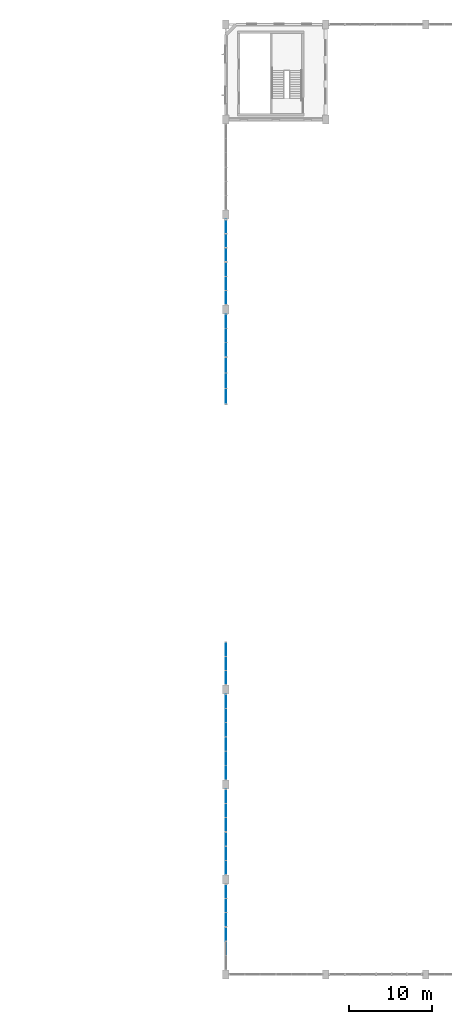
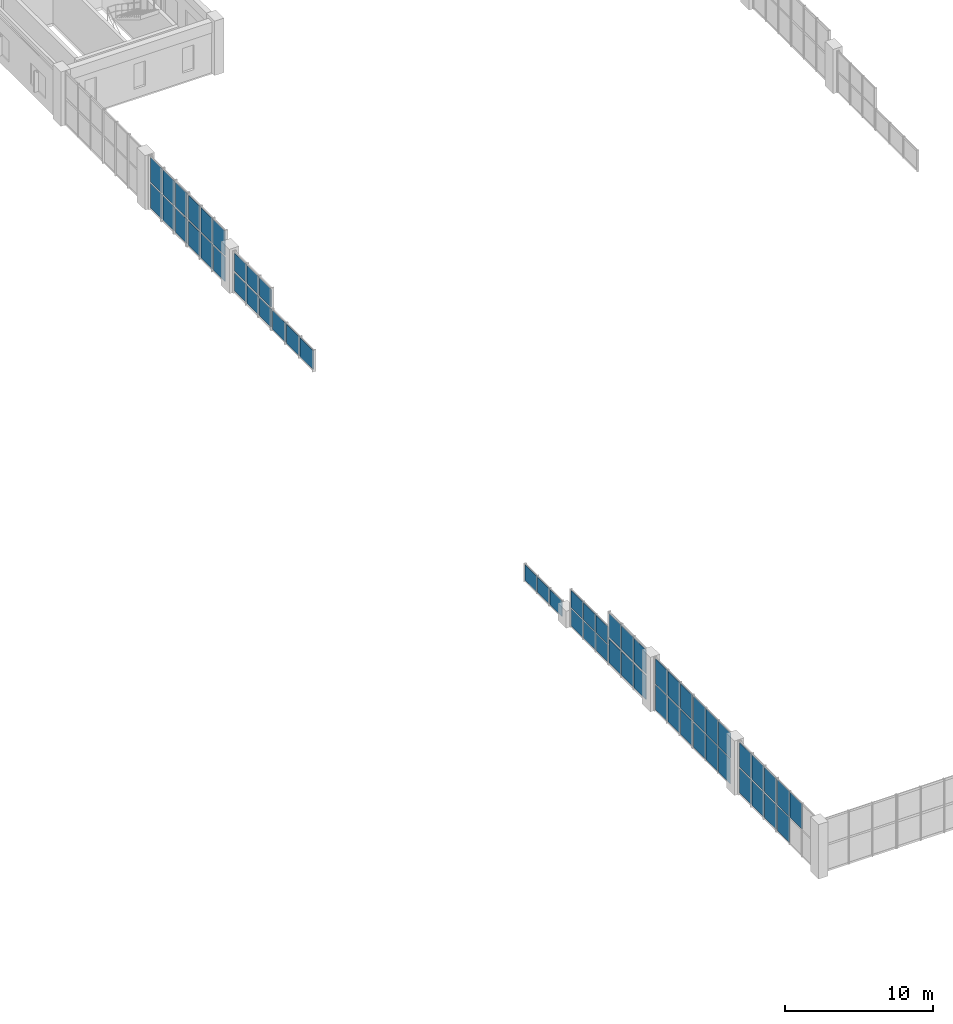
# One storey, part 31 of 48: 57 plates, 11 elements without a shape of their own.
"""IFC4 building model written with IfcOpenShell, lengths in metres."""

from ifc_helpers import new_model, si_unit, direction, frame, origin, origin_2d, place, context, subcontext, project, spatial, rectangle, extrude, material, layer, layer_set, type_object, element, aggregate, save


model = new_model("IFC4")

# Units and contexts
model_context = context("Model", 3, precision=1e-05, world=origin(), true_north=direction((0.0, 1.0)))
body_context = subcontext(model_context, "Body", "Model", "MODEL_VIEW")
ifc_project = project(units=[si_unit("LENGTHUNIT", "METRE"), si_unit("AREAUNIT", "SQUARE_METRE"), si_unit("VOLUMEUNIT", "CUBIC_METRE"), si_unit("PLANEANGLEUNIT", "RADIAN"), si_unit("MASSUNIT", "GRAM", prefix="KILO"), si_unit("POWERUNIT", "WATT"), si_unit("THERMODYNAMICTEMPERATUREUNIT", "KELVIN")], contexts=[model_context])

# Site, building, storey
site_placement = place(None, origin())
site = spatial("IfcSite", under=ifc_project, at=site_placement, CompositionType="ELEMENT")
building_placement = place(site_placement, origin())
building = spatial("IfcBuilding", under=site, at=building_placement, Name="Kelmbourne Parkland Aquatics Centre", CompositionType="ELEMENT")
storey_placement = place(building_placement, frame((0.0, 0.0, 14.699951171875)))
storey = spatial("IfcBuildingStorey", under=building, at=storey_placement, Name="L03", CompositionType="ELEMENT", Elevation=14.699951171875)

# Curtain wall, plates
ifc_material_1 = material(Name="Thermally broken anodised aluminium framing", Category="aluminium")
ifc_layer_1 = layer(ifc_material_1, 0.179931640625)
ifc_layer_set_1 = layer_set([ifc_layer_1], Name="Thermally broken anodised aluminium framing")
curtain_wall_type_1 = type_object("IfcCurtainWallType", Name="CW-06", PredefinedType="NOTDEFINED", material=ifc_layer_set_1)
curtain_wall_1_placement = place(storey_placement, origin())
curtain_wall_1 = element("IfcCurtainWall", 1, at=curtain_wall_1_placement, inside=storey, type_object=curtain_wall_type_1, Name="Wave-hall clerestory curtain wall CW-L03-006", PredefinedType="NOTDEFINED")
ifc_material_2 = material(Name="Double-glazed low-e laminated safety glass", Category="glass")
ifc_layer_2 = layer(ifc_material_2, 0.0419921875)
ifc_layer_set_2 = layer_set([ifc_layer_2], Name="Double-glazed low-e laminated safety glass")
plate_type_1 = type_object("IfcPlateType", Name="PL-CLR-1", PredefinedType="USERDEFINED", material=ifc_layer_set_2)
plate_1_placement = place(storey_placement, frame((128.0, 3.926025390625, 2.279296875), z_axis=(0.0, 0.0, 1.0), x_axis=(0.0, 1.0, 0.0)))
plate_1 = element("IfcPlate", 2, at=plate_1_placement, type_object=plate_type_1, Name="CW-L03-006 clerestory glazing 1-1", ObjectType="CLERESTORY GLAZING", PredefinedType="USERDEFINED", context=body_context, shape_type="SweptSolid", body=[
    extrude(rectangle(XDim=1.6279296875, YDim=0.0419921875, at=origin_2d()), origin(), (0.0, 0.0, 1.0), 2.053955078125),
])
plate_2_placement = place(storey_placement, frame((128.0, 5.616943359375, 2.279296875), z_axis=(0.0, 0.0, 1.0), x_axis=(0.0, 1.0, 0.0)))
plate_2 = element("IfcPlate", 3, at=plate_2_placement, type_object=plate_type_1, Name="CW-L03-006 clerestory glazing 1-2", ObjectType="CLERESTORY GLAZING", PredefinedType="USERDEFINED", context=body_context, shape_type="SweptSolid", body=[
    extrude(rectangle(XDim=1.6279296875, YDim=0.0419921875, at=origin_2d()), origin(), (0.0, 0.0, 1.0), 2.053955078125),
])

ifc_layer_3 = layer(ifc_material_1, 0.179931640625)
ifc_layer_set_3 = layer_set([ifc_layer_3], Name="Thermally broken anodised aluminium framing")
curtain_wall_type_2 = type_object("IfcCurtainWallType", Name="CW-13", PredefinedType="NOTDEFINED", material=ifc_layer_set_3)
curtain_wall_2_placement = place(storey_placement, origin())
curtain_wall_2 = element("IfcCurtainWall", 4, at=curtain_wall_2_placement, inside=storey, type_object=curtain_wall_type_2, Name="Wave-hall clerestory curtain wall CW-L03-013", PredefinedType="NOTDEFINED")
plate_3_placement = place(storey_placement, frame((128.0, 7.3896484375, 2.2939453125), z_axis=(0.0, 0.0, 1.0), x_axis=(0.0, 1.0, 0.0)))
plate_3 = element("IfcPlate", 5, at=plate_3_placement, type_object=plate_type_1, Name="CW-L03-013 clerestory glazing 1-0", ObjectType="CLERESTORY GLAZING", PredefinedType="USERDEFINED", context=body_context, shape_type="SweptSolid", body=[
    extrude(rectangle(XDim=1.601318359375, YDim=0.0419921875, at=origin_2d()), origin(), (0.0, 0.0, 1.0), 2.009033203125),
])
plate_4_placement = place(storey_placement, frame((128.0, 9.073974609375, 2.2939453125), z_axis=(0.0, 0.0, 1.0), x_axis=(0.0, 1.0, 0.0)))
plate_4 = element("IfcPlate", 6, at=plate_4_placement, type_object=plate_type_1, Name="CW-L03-013 clerestory glazing 1-1", ObjectType="CLERESTORY GLAZING", PredefinedType="USERDEFINED", context=body_context, shape_type="SweptSolid", body=[
    extrude(rectangle(XDim=1.601318359375, YDim=0.0419921875, at=origin_2d()), origin(), (0.0, 0.0, 1.0), 2.009033203125),
])
plate_5_placement = place(storey_placement, frame((128.0, 10.75830078125, 2.2939453125), z_axis=(0.0, 0.0, 1.0), x_axis=(0.0, 1.0, 0.0)))
plate_5 = element("IfcPlate", 7, at=plate_5_placement, type_object=plate_type_1, Name="CW-L03-013 clerestory glazing 1-2", ObjectType="CLERESTORY GLAZING", PredefinedType="USERDEFINED", context=body_context, shape_type="SweptSolid", body=[
    extrude(rectangle(XDim=1.601318359375, YDim=0.0419921875, at=origin_2d()), origin(), (0.0, 0.0, 1.0), 2.009033203125),
])

ifc_layer_4 = layer(ifc_material_1, 0.179931640625)
ifc_layer_set_4 = layer_set([ifc_layer_4], Name="Thermally broken anodised aluminium framing")
curtain_wall_type_3 = type_object("IfcCurtainWallType", Name="CW-21", PredefinedType="NOTDEFINED", material=ifc_layer_set_4)
curtain_wall_3_placement = place(storey_placement, origin())
curtain_wall_3 = element("IfcCurtainWall", 8, at=curtain_wall_3_placement, inside=storey, type_object=curtain_wall_type_3, Name="Wave-hall clerestory curtain wall CW-L03-021", PredefinedType="NOTDEFINED")
plate_6_placement = place(storey_placement, frame((128.0, 13.635009765625, 2.279296875), z_axis=(0.0, 0.0, 1.0), x_axis=(0.0, 1.0, 0.0)))
plate_6 = element("IfcPlate", 9, at=plate_6_placement, type_object=plate_type_1, Name="CW-L03-021 clerestory glazing 1-0", ObjectType="CLERESTORY GLAZING", PredefinedType="USERDEFINED", context=body_context, shape_type="SweptSolid", body=[
    extrude(rectangle(XDim=1.6279296875, YDim=0.0419921875, at=origin_2d()), origin(), (0.0, 0.0, 1.0), 2.053955078125),
])
plate_7_placement = place(storey_placement, frame((128.0, 15.325927734375, 2.279296875), z_axis=(0.0, 0.0, 1.0), x_axis=(0.0, 1.0, 0.0)))
plate_7 = element("IfcPlate", 10, at=plate_7_placement, type_object=plate_type_1, Name="CW-L03-021 clerestory glazing 1-1", ObjectType="CLERESTORY GLAZING", PredefinedType="USERDEFINED", context=body_context, shape_type="SweptSolid", body=[
    extrude(rectangle(XDim=1.6279296875, YDim=0.0419921875, at=origin_2d()), origin(), (0.0, 0.0, 1.0), 2.053955078125),
])
plate_8_placement = place(storey_placement, frame((128.0, 17.01708984375, 2.279296875), z_axis=(0.0, 0.0, 1.0), x_axis=(0.0, 1.0, 0.0)))
plate_8 = element("IfcPlate", 11, at=plate_8_placement, type_object=plate_type_1, Name="CW-L03-021 clerestory glazing 1-2", ObjectType="CLERESTORY GLAZING", PredefinedType="USERDEFINED", context=body_context, shape_type="SweptSolid", body=[
    extrude(rectangle(XDim=1.6279296875, YDim=0.0419921875, at=origin_2d()), origin(), (0.0, 0.0, 1.0), 2.053955078125),
])

ifc_layer_5 = layer(ifc_material_1, 0.179931640625)
ifc_layer_set_5 = layer_set([ifc_layer_5], Name="Thermally broken anodised aluminium framing")
curtain_wall_type_4 = type_object("IfcCurtainWallType", Name="CW-03", PredefinedType="NOTDEFINED", material=ifc_layer_set_5)
curtain_wall_4_placement = place(storey_placement, origin())
curtain_wall_4 = element("IfcCurtainWall", 12, at=curtain_wall_4_placement, inside=storey, type_object=curtain_wall_type_4, Name="Wave-hall clerestory curtain wall CW-L03-027", PredefinedType="NOTDEFINED")
plate_9_placement = place(storey_placement, frame((128.0, 18.786376953125, 2.279296875), z_axis=(0.0, 0.0, 1.0), x_axis=(0.0, 1.0, 0.0)))
plate_9 = element("IfcPlate", 13, at=plate_9_placement, type_object=plate_type_1, Name="CW-L03-027 clerestory glazing 1-0", ObjectType="CLERESTORY GLAZING", PredefinedType="USERDEFINED", context=body_context, shape_type="SweptSolid", body=[
    extrude(rectangle(XDim=1.61474609375, YDim=0.0419921875, at=origin_2d()), origin(), (0.0, 0.0, 1.0), 2.053955078125),
])
plate_10_placement = place(storey_placement, frame((128.0, 20.47412109375, 2.279296875), z_axis=(0.0, 0.0, 1.0), x_axis=(0.0, 1.0, 0.0)))
plate_10 = element("IfcPlate", 14, at=plate_10_placement, type_object=plate_type_1, Name="CW-L03-027 clerestory glazing 1-1", ObjectType="CLERESTORY GLAZING", PredefinedType="USERDEFINED", context=body_context, shape_type="SweptSolid", body=[
    extrude(rectangle(XDim=1.614501953125, YDim=0.0419921875, at=origin_2d()), origin(), (0.0, 0.0, 1.0), 2.053955078125),
])
plate_11_placement = place(storey_placement, frame((128.0, 22.16162109375, 2.279296875), z_axis=(0.0, 0.0, 1.0), x_axis=(0.0, 1.0, 0.0)))
plate_11 = element("IfcPlate", 15, at=plate_11_placement, type_object=plate_type_1, Name="CW-L03-027 clerestory glazing 1-2", ObjectType="CLERESTORY GLAZING", PredefinedType="USERDEFINED", context=body_context, shape_type="SweptSolid", body=[
    extrude(rectangle(XDim=1.61474609375, YDim=0.0419921875, at=origin_2d()), origin(), (0.0, 0.0, 1.0), 2.053955078125),
])

ifc_layer_6 = layer(ifc_material_1, 0.179931640625)
ifc_layer_set_6 = layer_set([ifc_layer_6], Name="Thermally broken anodised aluminium framing")
curtain_wall_type_5 = type_object("IfcCurtainWallType", Name="CW-08", PredefinedType="NOTDEFINED", material=ifc_layer_set_6)
curtain_wall_5_placement = place(storey_placement, origin())
curtain_wall_5 = element("IfcCurtainWall", 16, at=curtain_wall_5_placement, inside=storey, type_object=curtain_wall_type_5, Name="Wave-hall clerestory curtain wall CW-L03-032", PredefinedType="NOTDEFINED")
plate_12_placement = place(storey_placement, frame((128.0, 25.038330078125, 2.30908203125), z_axis=(0.0, 0.0, 1.0), x_axis=(0.0, 1.0, 0.0)))
plate_12 = element("IfcPlate", 17, at=plate_12_placement, type_object=plate_type_1, Name="CW-L03-032 clerestory glazing 1-0", ObjectType="CLERESTORY GLAZING", PredefinedType="USERDEFINED", context=body_context, shape_type="SweptSolid", body=[
    extrude(rectangle(XDim=1.61474609375, YDim=0.0419921875, at=origin_2d()), origin(), (0.0, 0.0, 1.0), 1.964111328125),
])
plate_13_placement = place(storey_placement, frame((128.0, 26.72607421875, 2.30908203125), z_axis=(0.0, 0.0, 1.0), x_axis=(0.0, 1.0, 0.0)))
plate_13 = element("IfcPlate", 18, at=plate_13_placement, type_object=plate_type_1, Name="CW-L03-032 clerestory glazing 1-1", ObjectType="CLERESTORY GLAZING", PredefinedType="USERDEFINED", context=body_context, shape_type="SweptSolid", body=[
    extrude(rectangle(XDim=1.614501953125, YDim=0.0419921875, at=origin_2d()), origin(), (0.0, 0.0, 1.0), 1.964111328125),
])
plate_14_placement = place(storey_placement, frame((128.0, 28.413818359375, 2.30908203125), z_axis=(0.0, 0.0, 1.0), x_axis=(0.0, 1.0, 0.0)))
plate_14 = element("IfcPlate", 19, at=plate_14_placement, type_object=plate_type_1, Name="CW-L03-032 clerestory glazing 1-2", ObjectType="CLERESTORY GLAZING", PredefinedType="USERDEFINED", context=body_context, shape_type="SweptSolid", body=[
    extrude(rectangle(XDim=1.61474609375, YDim=0.0419921875, at=origin_2d()), origin(), (0.0, 0.0, 1.0), 1.964111328125),
])

ifc_layer_7 = layer(ifc_material_1, 0.179931640625)
ifc_layer_set_7 = layer_set([ifc_layer_7], Name="Thermally broken anodised aluminium framing")
curtain_wall_type_6 = type_object("IfcCurtainWallType", Name="CW-12", PredefinedType="NOTDEFINED", material=ifc_layer_set_7)
curtain_wall_6_placement = place(storey_placement, origin())
curtain_wall_6 = element("IfcCurtainWall", 20, at=curtain_wall_6_placement, inside=storey, type_object=curtain_wall_type_6, Name="Wave-hall clerestory curtain wall CW-L03-036", PredefinedType="NOTDEFINED")
plate_15_placement = place(storey_placement, frame((128.0, 30.18310546875, 1.640869140625), z_axis=(0.0, 0.0, 1.0), x_axis=(0.0, 1.0, 0.0)))
plate_15 = element("IfcPlate", 21, at=plate_15_placement, type_object=plate_type_1, Name="CW-L03-036 clerestory glazing 1-0", ObjectType="CLERESTORY GLAZING", PredefinedType="USERDEFINED", context=body_context, shape_type="SweptSolid", body=[
    extrude(rectangle(XDim=1.6279296875, YDim=0.0419921875, at=origin_2d()), origin(), (0.0, 0.0, 1.0), 1.41552734375),
])
plate_16_placement = place(storey_placement, frame((128.0, 31.8740234375, 1.640869140625), z_axis=(0.0, 0.0, 1.0), x_axis=(0.0, 1.0, 0.0)))
plate_16 = element("IfcPlate", 22, at=plate_16_placement, type_object=plate_type_1, Name="CW-L03-036 clerestory glazing 1-1", ObjectType="CLERESTORY GLAZING", PredefinedType="USERDEFINED", context=body_context, shape_type="SweptSolid", body=[
    extrude(rectangle(XDim=1.6279296875, YDim=0.0419921875, at=origin_2d()), origin(), (0.0, 0.0, 1.0), 1.41552734375),
])
plate_17_placement = place(storey_placement, frame((128.0, 33.56494140625, 1.640869140625), z_axis=(0.0, 0.0, 1.0), x_axis=(0.0, 1.0, 0.0)))
plate_17 = element("IfcPlate", 23, at=plate_17_placement, type_object=plate_type_1, Name="CW-L03-036 clerestory glazing 1-2", ObjectType="CLERESTORY GLAZING", PredefinedType="USERDEFINED", context=body_context, shape_type="SweptSolid", body=[
    extrude(rectangle(XDim=1.6279296875, YDim=0.0419921875, at=origin_2d()), origin(), (0.0, 0.0, 1.0), 1.41552734375),
])

ifc_layer_8 = layer(ifc_material_1, 0.179931640625)
ifc_layer_set_8 = layer_set([ifc_layer_8], Name="Thermally broken anodised aluminium framing")
curtain_wall_type_7 = type_object("IfcCurtainWallType", Name="CW-18", PredefinedType="NOTDEFINED", material=ifc_layer_set_8)
curtain_wall_7_placement = place(storey_placement, origin())
curtain_wall_7 = element("IfcCurtainWall", 24, at=curtain_wall_7_placement, inside=storey, type_object=curtain_wall_type_7, Name="Wave-hall clerestory curtain wall CW-L03-042", PredefinedType="NOTDEFINED")
plate_18_placement = place(storey_placement, frame((128.0, 36.438232421875, 0.1171875), z_axis=(0.0, 0.0, 1.0), x_axis=(0.0, 1.0, 0.0)))
plate_18 = element("IfcPlate", 25, at=plate_18_placement, type_object=plate_type_1, Name="CW-L03-042 clerestory glazing 0-0", ObjectType="CLERESTORY GLAZING", PredefinedType="USERDEFINED", context=body_context, shape_type="SweptSolid", body=[
    extrude(rectangle(XDim=1.61474609375, YDim=0.0419921875, at=origin_2d()), origin(), (0.0, 0.0, 1.0), 1.272705078125),
])
plate_19_placement = place(storey_placement, frame((128.0, 38.1259765625, 0.1171875), z_axis=(0.0, 0.0, 1.0), x_axis=(0.0, 1.0, 0.0)))
plate_19 = element("IfcPlate", 26, at=plate_19_placement, type_object=plate_type_1, Name="CW-L03-042 clerestory glazing 0-1", ObjectType="CLERESTORY GLAZING", PredefinedType="USERDEFINED", context=body_context, shape_type="SweptSolid", body=[
    extrude(rectangle(XDim=1.614501953125, YDim=0.0419921875, at=origin_2d()), origin(), (0.0, 0.0, 1.0), 1.272705078125),
])
plate_20_placement = place(storey_placement, frame((128.0, 39.813720703125, 0.1171875), z_axis=(0.0, 0.0, 1.0), x_axis=(0.0, 1.0, 0.0)))
plate_20 = element("IfcPlate", 27, at=plate_20_placement, type_object=plate_type_1, Name="CW-L03-042 clerestory glazing 0-2", ObjectType="CLERESTORY GLAZING", PredefinedType="USERDEFINED", context=body_context, shape_type="SweptSolid", body=[
    extrude(rectangle(XDim=1.61474609375, YDim=0.0419921875, at=origin_2d()), origin(), (0.0, 0.0, 1.0), 1.272705078125),
])
aggregate(curtain_wall_7, [plate_18, plate_19, plate_20])

ifc_layer_9 = layer(ifc_material_1, 0.179931640625)
ifc_layer_set_9 = layer_set([ifc_layer_9], Name="Thermally broken anodised aluminium framing")
curtain_wall_type_8 = type_object("IfcCurtainWallType", Name="CW-15", PredefinedType="NOTDEFINED", material=ifc_layer_set_9)
curtain_wall_8_placement = place(storey_placement, origin())
curtain_wall_8 = element("IfcCurtainWall", 28, at=curtain_wall_8_placement, inside=storey, type_object=curtain_wall_type_8, Name="Wave-hall clerestory curtain wall CW-L03-063", PredefinedType="NOTDEFINED")
plate_21_placement = place(storey_placement, frame((128.0, 70.181640625, 0.1171875), z_axis=(0.0, 0.0, 1.0), x_axis=(0.0, 1.0, 0.0)))
plate_21 = element("IfcPlate", 29, at=plate_21_placement, type_object=plate_type_1, Name="CW-L03-063 clerestory glazing 0-0", ObjectType="CLERESTORY GLAZING", PredefinedType="USERDEFINED", context=body_context, shape_type="SweptSolid", body=[
    extrude(rectangle(XDim=1.785400390625, YDim=0.0419921875, at=origin_2d()), origin(), (0.0, 0.0, 1.0), 1.5654296875),
])
plate_22_placement = place(storey_placement, frame((128.0, 72.050048828125, 0.1171875), z_axis=(0.0, 0.0, 1.0), x_axis=(0.0, 1.0, 0.0)))
plate_22 = element("IfcPlate", 30, at=plate_22_placement, type_object=plate_type_1, Name="CW-L03-063 clerestory glazing 0-1", ObjectType="CLERESTORY GLAZING", PredefinedType="USERDEFINED", context=body_context, shape_type="SweptSolid", body=[
    extrude(rectangle(XDim=1.785400390625, YDim=0.0419921875, at=origin_2d()), origin(), (0.0, 0.0, 1.0), 1.5654296875),
])
plate_23_placement = place(storey_placement, frame((128.0, 73.91845703125, 0.1171875), z_axis=(0.0, 0.0, 1.0), x_axis=(0.0, 1.0, 0.0)))
plate_23 = element("IfcPlate", 31, at=plate_23_placement, type_object=plate_type_1, Name="CW-L03-063 clerestory glazing 0-2", ObjectType="CLERESTORY GLAZING", PredefinedType="USERDEFINED", context=body_context, shape_type="SweptSolid", body=[
    extrude(rectangle(XDim=1.785400390625, YDim=0.0419921875, at=origin_2d()), origin(), (0.0, 0.0, 1.0), 1.5654296875),
])
aggregate(curtain_wall_8, [plate_21, plate_22, plate_23])

ifc_layer_10 = layer(ifc_material_1, 0.179931640625)
ifc_layer_set_10 = layer_set([ifc_layer_10], Name="Thermally broken anodised aluminium framing")
curtain_wall_type_9 = type_object("IfcCurtainWallType", Name="CW-20", PredefinedType="NOTDEFINED", material=ifc_layer_set_10)
curtain_wall_9_placement = place(storey_placement, origin())
curtain_wall_9 = element("IfcCurtainWall", 32, at=curtain_wall_9_placement, inside=storey, type_object=curtain_wall_type_9, Name="Wave-hall clerestory curtain wall CW-L03-068", PredefinedType="NOTDEFINED")
plate_24_placement = place(storey_placement, frame((128.0, 75.789794921875, 1.820556640625), z_axis=(0.0, 0.0, 1.0), x_axis=(0.0, 1.0, 0.0)))
plate_24 = element("IfcPlate", 33, at=plate_24_placement, type_object=plate_type_1, Name="CW-L03-068 clerestory glazing 1-0", ObjectType="CLERESTORY GLAZING", PredefinedType="USERDEFINED", context=body_context, shape_type="SweptSolid", body=[
    extrude(rectangle(XDim=1.601318359375, YDim=0.0419921875, at=origin_2d()), origin(), (0.0, 0.0, 1.0), 1.4755859375),
])
plate_25_placement = place(storey_placement, frame((128.0, 77.47412109375, 1.820556640625), z_axis=(0.0, 0.0, 1.0), x_axis=(0.0, 1.0, 0.0)))
plate_25 = element("IfcPlate", 34, at=plate_25_placement, type_object=plate_type_1, Name="CW-L03-068 clerestory glazing 1-1", ObjectType="CLERESTORY GLAZING", PredefinedType="USERDEFINED", context=body_context, shape_type="SweptSolid", body=[
    extrude(rectangle(XDim=1.601318359375, YDim=0.0419921875, at=origin_2d()), origin(), (0.0, 0.0, 1.0), 1.4755859375),
])
plate_26_placement = place(storey_placement, frame((128.0, 79.158447265625, 1.820556640625), z_axis=(0.0, 0.0, 1.0), x_axis=(0.0, 1.0, 0.0)))
plate_26 = element("IfcPlate", 35, at=plate_26_placement, type_object=plate_type_1, Name="CW-L03-068 clerestory glazing 1-2", ObjectType="CLERESTORY GLAZING", PredefinedType="USERDEFINED", context=body_context, shape_type="SweptSolid", body=[
    extrude(rectangle(XDim=1.601318359375, YDim=0.0419921875, at=origin_2d()), origin(), (0.0, 0.0, 1.0), 1.4755859375),
])

ifc_layer_11 = layer(ifc_material_1, 0.179931640625)
ifc_layer_set_11 = layer_set([ifc_layer_11], Name="Thermally broken anodised aluminium framing")
curtain_wall_type_10 = type_object("IfcCurtainWallType", Name="CW-01", PredefinedType="NOTDEFINED", material=ifc_layer_set_11)
curtain_wall_10_placement = place(storey_placement, origin())
curtain_wall_10 = element("IfcCurtainWall", 36, at=curtain_wall_10_placement, inside=storey, type_object=curtain_wall_type_10, Name="Wave-hall clerestory curtain wall CW-L03-073", PredefinedType="NOTDEFINED")
plate_27_placement = place(storey_placement, frame((128.0, 82.041748046875, 2.2939453125), z_axis=(0.0, 0.0, 1.0), x_axis=(0.0, 1.0, 0.0)))
plate_27 = element("IfcPlate", 37, at=plate_27_placement, type_object=plate_type_1, Name="CW-L03-073 clerestory glazing 1-0", ObjectType="CLERESTORY GLAZING", PredefinedType="USERDEFINED", context=body_context, shape_type="SweptSolid", body=[
    extrude(rectangle(XDim=1.601318359375, YDim=0.0419921875, at=origin_2d()), origin(), (0.0, 0.0, 1.0), 2.009033203125),
])
plate_28_placement = place(storey_placement, frame((128.0, 83.72607421875, 2.2939453125), z_axis=(0.0, 0.0, 1.0), x_axis=(0.0, 1.0, 0.0)))
plate_28 = element("IfcPlate", 38, at=plate_28_placement, type_object=plate_type_1, Name="CW-L03-073 clerestory glazing 1-1", ObjectType="CLERESTORY GLAZING", PredefinedType="USERDEFINED", context=body_context, shape_type="SweptSolid", body=[
    extrude(rectangle(XDim=1.601318359375, YDim=0.0419921875, at=origin_2d()), origin(), (0.0, 0.0, 1.0), 2.009033203125),
])
plate_29_placement = place(storey_placement, frame((128.0, 85.410400390625, 2.2939453125), z_axis=(0.0, 0.0, 1.0), x_axis=(0.0, 1.0, 0.0)))
plate_29 = element("IfcPlate", 39, at=plate_29_placement, type_object=plate_type_1, Name="CW-L03-073 clerestory glazing 1-2", ObjectType="CLERESTORY GLAZING", PredefinedType="USERDEFINED", context=body_context, shape_type="SweptSolid", body=[
    extrude(rectangle(XDim=1.601318359375, YDim=0.0419921875, at=origin_2d()), origin(), (0.0, 0.0, 1.0), 2.009033203125),
])

ifc_layer_12 = layer(ifc_material_1, 0.179931640625)
ifc_layer_set_12 = layer_set([ifc_layer_12], Name="Thermally broken anodised aluminium framing")
curtain_wall_type_11 = type_object("IfcCurtainWallType", Name="CW-07", PredefinedType="NOTDEFINED", material=ifc_layer_set_12)
curtain_wall_11_placement = place(storey_placement, origin())
curtain_wall_11 = element("IfcCurtainWall", 40, at=curtain_wall_11_placement, inside=storey, type_object=curtain_wall_type_11, Name="Wave-hall clerestory curtain wall CW-L03-079", PredefinedType="NOTDEFINED")
plate_30_placement = place(storey_placement, frame((128.0, 87.193115234375, 2.2939453125), z_axis=(0.0, 0.0, 1.0), x_axis=(0.0, 1.0, 0.0)))
plate_30 = element("IfcPlate", 41, at=plate_30_placement, type_object=plate_type_1, Name="CW-L03-079 clerestory glazing 1-0", ObjectType="CLERESTORY GLAZING", PredefinedType="USERDEFINED", context=body_context, shape_type="SweptSolid", body=[
    extrude(rectangle(XDim=1.587890625, YDim=0.0419921875, at=origin_2d()), origin(), (0.0, 0.0, 1.0), 2.009033203125),
])
plate_31_placement = place(storey_placement, frame((128.0, 88.8740234375, 2.2939453125), z_axis=(0.0, 0.0, 1.0), x_axis=(0.0, 1.0, 0.0)))
plate_31 = element("IfcPlate", 42, at=plate_31_placement, type_object=plate_type_1, Name="CW-L03-079 clerestory glazing 1-1", ObjectType="CLERESTORY GLAZING", PredefinedType="USERDEFINED", context=body_context, shape_type="SweptSolid", body=[
    extrude(rectangle(XDim=1.587890625, YDim=0.0419921875, at=origin_2d()), origin(), (0.0, 0.0, 1.0), 2.009033203125),
])
plate_32_placement = place(storey_placement, frame((128.0, 90.554931640625, 2.2939453125), z_axis=(0.0, 0.0, 1.0), x_axis=(0.0, 1.0, 0.0)))
plate_32 = element("IfcPlate", 43, at=plate_32_placement, type_object=plate_type_1, Name="CW-L03-079 clerestory glazing 1-2", ObjectType="CLERESTORY GLAZING", PredefinedType="USERDEFINED", context=body_context, shape_type="SweptSolid", body=[
    extrude(rectangle(XDim=1.587890625, YDim=0.0419921875, at=origin_2d()), origin(), (0.0, 0.0, 1.0), 2.009033203125),
])

# Plate
ifc_layer_13 = layer(ifc_material_2, 0.02392578125)
ifc_layer_set_13 = layer_set([ifc_layer_13], Name="Double-glazed low-e laminated safety glass")
plate_type_2 = type_object("IfcPlateType", Name="PL-CWP-1", PredefinedType="CURTAIN_PANEL", material=ifc_layer_set_13)
plate_33_placement = place(storey_placement, frame((128.0, 5.616943359375, 0.1171875), z_axis=(0.0, 0.0, 1.0), x_axis=(0.0, 1.0, 0.0)))
plate_33 = element("IfcPlate", 44, at=plate_33_placement, type_object=plate_type_2, Name="CW-L03-006 vision glazing 0-2", PredefinedType="CURTAIN_PANEL", context=body_context, shape_type="SweptSolid", body=[
    extrude(rectangle(XDim=1.6279296875, YDim=0.02392578125, at=origin_2d()), origin(), (0.0, 0.0, 1.0), 2.053955078125),
])

aggregate(curtain_wall_1, [plate_33, plate_1, plate_2])

plate_34_placement = place(storey_placement, frame((128.0, 13.635009765625, 0.1171875), z_axis=(0.0, 0.0, 1.0), x_axis=(0.0, 1.0, 0.0)))
plate_34 = element("IfcPlate", 45, at=plate_34_placement, type_object=plate_type_2, Name="CW-L03-021 vision glazing 0-0", PredefinedType="CURTAIN_PANEL", context=body_context, shape_type="SweptSolid", body=[
    extrude(rectangle(XDim=1.6279296875, YDim=0.02392578125, at=origin_2d()), origin(), (0.0, 0.0, 1.0), 2.053955078125),
])

plate_35_placement = place(storey_placement, frame((128.0, 15.325927734375, 0.1171875), z_axis=(0.0, 0.0, 1.0), x_axis=(0.0, 1.0, 0.0)))
plate_35 = element("IfcPlate", 46, at=plate_35_placement, type_object=plate_type_2, Name="CW-L03-021 vision glazing 0-1", PredefinedType="CURTAIN_PANEL", context=body_context, shape_type="SweptSolid", body=[
    extrude(rectangle(XDim=1.6279296875, YDim=0.02392578125, at=origin_2d()), origin(), (0.0, 0.0, 1.0), 2.053955078125),
])

plate_36_placement = place(storey_placement, frame((128.0, 17.01708984375, 0.1171875), z_axis=(0.0, 0.0, 1.0), x_axis=(0.0, 1.0, 0.0)))
plate_36 = element("IfcPlate", 47, at=plate_36_placement, type_object=plate_type_2, Name="CW-L03-021 vision glazing 0-2", PredefinedType="CURTAIN_PANEL", context=body_context, shape_type="SweptSolid", body=[
    extrude(rectangle(XDim=1.6279296875, YDim=0.02392578125, at=origin_2d()), origin(), (0.0, 0.0, 1.0), 2.053955078125),
])

aggregate(curtain_wall_3, [plate_34, plate_35, plate_36, plate_6, plate_7, plate_8])

plate_37_placement = place(storey_placement, frame((128.0, 18.786376953125, 0.1171875), z_axis=(0.0, 0.0, 1.0), x_axis=(0.0, 1.0, 0.0)))
plate_37 = element("IfcPlate", 48, at=plate_37_placement, type_object=plate_type_2, Name="CW-L03-027 vision glazing 0-0", PredefinedType="CURTAIN_PANEL", context=body_context, shape_type="SweptSolid", body=[
    extrude(rectangle(XDim=1.61474609375, YDim=0.02392578125, at=origin_2d()), origin(), (0.0, 0.0, 1.0), 2.053955078125),
])

plate_38_placement = place(storey_placement, frame((128.0, 20.47412109375, 0.1171875), z_axis=(0.0, 0.0, 1.0), x_axis=(0.0, 1.0, 0.0)))
plate_38 = element("IfcPlate", 49, at=plate_38_placement, type_object=plate_type_2, Name="CW-L03-027 vision glazing 0-1", PredefinedType="CURTAIN_PANEL", context=body_context, shape_type="SweptSolid", body=[
    extrude(rectangle(XDim=1.614501953125, YDim=0.02392578125, at=origin_2d()), origin(), (0.0, 0.0, 1.0), 2.053955078125),
])

plate_39_placement = place(storey_placement, frame((128.0, 22.16162109375, 0.1171875), z_axis=(0.0, 0.0, 1.0), x_axis=(0.0, 1.0, 0.0)))
plate_39 = element("IfcPlate", 50, at=plate_39_placement, type_object=plate_type_2, Name="CW-L03-027 vision glazing 0-2", PredefinedType="CURTAIN_PANEL", context=body_context, shape_type="SweptSolid", body=[
    extrude(rectangle(XDim=1.61474609375, YDim=0.02392578125, at=origin_2d()), origin(), (0.0, 0.0, 1.0), 2.053955078125),
])

aggregate(curtain_wall_4, [plate_37, plate_38, plate_39, plate_9, plate_10, plate_11])

plate_40_placement = place(storey_placement, frame((128.0, 30.18310546875, 0.1171875), z_axis=(0.0, 0.0, 1.0), x_axis=(0.0, 1.0, 0.0)))
plate_40 = element("IfcPlate", 51, at=plate_40_placement, type_object=plate_type_2, Name="CW-L03-036 vision glazing 0-0", PredefinedType="CURTAIN_PANEL", context=body_context, shape_type="SweptSolid", body=[
    extrude(rectangle(XDim=1.6279296875, YDim=0.02392578125, at=origin_2d()), origin(), (0.0, 0.0, 1.0), 1.415771484375),
])

plate_41_placement = place(storey_placement, frame((128.0, 31.8740234375, 0.1171875), z_axis=(0.0, 0.0, 1.0), x_axis=(0.0, 1.0, 0.0)))
plate_41 = element("IfcPlate", 52, at=plate_41_placement, type_object=plate_type_2, Name="CW-L03-036 vision glazing 0-1", PredefinedType="CURTAIN_PANEL", context=body_context, shape_type="SweptSolid", body=[
    extrude(rectangle(XDim=1.6279296875, YDim=0.02392578125, at=origin_2d()), origin(), (0.0, 0.0, 1.0), 1.415771484375),
])

plate_42_placement = place(storey_placement, frame((128.0, 33.56494140625, 0.1171875), z_axis=(0.0, 0.0, 1.0), x_axis=(0.0, 1.0, 0.0)))
plate_42 = element("IfcPlate", 53, at=plate_42_placement, type_object=plate_type_2, Name="CW-L03-036 vision glazing 0-2", PredefinedType="CURTAIN_PANEL", context=body_context, shape_type="SweptSolid", body=[
    extrude(rectangle(XDim=1.6279296875, YDim=0.02392578125, at=origin_2d()), origin(), (0.0, 0.0, 1.0), 1.415771484375),
])

aggregate(curtain_wall_6, [plate_40, plate_41, plate_42, plate_15, plate_16, plate_17])

ifc_layer_14 = layer(ifc_material_2, 0.035888671875)
ifc_layer_set_14 = layer_set([ifc_layer_14], Name="Double-glazed low-e laminated safety glass")
plate_type_3 = type_object("IfcPlateType", Name="PL-CWP-2", PredefinedType="CURTAIN_PANEL", material=ifc_layer_set_14)
plate_43_placement = place(storey_placement, frame((128.0, 7.3896484375, 0.14697265625), z_axis=(0.0, 0.0, 1.0), x_axis=(0.0, 1.0, 0.0)))
plate_43 = element("IfcPlate", 54, at=plate_43_placement, type_object=plate_type_3, Name="CW-L03-013 vision glazing 0-0", PredefinedType="CURTAIN_PANEL", context=body_context, shape_type="SweptSolid", body=[
    extrude(rectangle(XDim=1.601318359375, YDim=0.035888671875, at=origin_2d()), origin(), (0.0, 0.0, 1.0), 2.009033203125),
])

plate_44_placement = place(storey_placement, frame((128.0, 9.073974609375, 0.14697265625), z_axis=(0.0, 0.0, 1.0), x_axis=(0.0, 1.0, 0.0)))
plate_44 = element("IfcPlate", 55, at=plate_44_placement, type_object=plate_type_3, Name="CW-L03-013 vision glazing 0-1", PredefinedType="CURTAIN_PANEL", context=body_context, shape_type="SweptSolid", body=[
    extrude(rectangle(XDim=1.601318359375, YDim=0.035888671875, at=origin_2d()), origin(), (0.0, 0.0, 1.0), 2.009033203125),
])

plate_45_placement = place(storey_placement, frame((128.0, 10.75830078125, 0.14697265625), z_axis=(0.0, 0.0, 1.0), x_axis=(0.0, 1.0, 0.0)))
plate_45 = element("IfcPlate", 56, at=plate_45_placement, type_object=plate_type_3, Name="CW-L03-013 vision glazing 0-2", PredefinedType="CURTAIN_PANEL", context=body_context, shape_type="SweptSolid", body=[
    extrude(rectangle(XDim=1.601318359375, YDim=0.035888671875, at=origin_2d()), origin(), (0.0, 0.0, 1.0), 2.009033203125),
])

aggregate(curtain_wall_2, [plate_43, plate_44, plate_45, plate_3, plate_4, plate_5])

plate_46_placement = place(storey_placement, frame((128.0, 82.041748046875, 0.14697265625), z_axis=(0.0, 0.0, 1.0), x_axis=(0.0, 1.0, 0.0)))
plate_46 = element("IfcPlate", 57, at=plate_46_placement, type_object=plate_type_3, Name="CW-L03-073 vision glazing 0-0", PredefinedType="CURTAIN_PANEL", context=body_context, shape_type="SweptSolid", body=[
    extrude(rectangle(XDim=1.601318359375, YDim=0.035888671875, at=origin_2d()), origin(), (0.0, 0.0, 1.0), 2.009033203125),
])

plate_47_placement = place(storey_placement, frame((128.0, 83.72607421875, 0.14697265625), z_axis=(0.0, 0.0, 1.0), x_axis=(0.0, 1.0, 0.0)))
plate_47 = element("IfcPlate", 58, at=plate_47_placement, type_object=plate_type_3, Name="CW-L03-073 vision glazing 0-1", PredefinedType="CURTAIN_PANEL", context=body_context, shape_type="SweptSolid", body=[
    extrude(rectangle(XDim=1.601318359375, YDim=0.035888671875, at=origin_2d()), origin(), (0.0, 0.0, 1.0), 2.009033203125),
])

plate_48_placement = place(storey_placement, frame((128.0, 85.410400390625, 0.14697265625), z_axis=(0.0, 0.0, 1.0), x_axis=(0.0, 1.0, 0.0)))
plate_48 = element("IfcPlate", 59, at=plate_48_placement, type_object=plate_type_3, Name="CW-L03-073 vision glazing 0-2", PredefinedType="CURTAIN_PANEL", context=body_context, shape_type="SweptSolid", body=[
    extrude(rectangle(XDim=1.601318359375, YDim=0.035888671875, at=origin_2d()), origin(), (0.0, 0.0, 1.0), 2.009033203125),
])

aggregate(curtain_wall_10, [plate_46, plate_47, plate_48, plate_27, plate_28, plate_29])

plate_49_placement = place(storey_placement, frame((128.0, 87.193115234375, 0.14697265625), z_axis=(0.0, 0.0, 1.0), x_axis=(0.0, 1.0, 0.0)))
plate_49 = element("IfcPlate", 60, at=plate_49_placement, type_object=plate_type_3, Name="CW-L03-079 vision glazing 0-0", PredefinedType="CURTAIN_PANEL", context=body_context, shape_type="SweptSolid", body=[
    extrude(rectangle(XDim=1.587890625, YDim=0.035888671875, at=origin_2d()), origin(), (0.0, 0.0, 1.0), 2.009033203125),
])

plate_50_placement = place(storey_placement, frame((128.0, 88.8740234375, 0.14697265625), z_axis=(0.0, 0.0, 1.0), x_axis=(0.0, 1.0, 0.0)))
plate_50 = element("IfcPlate", 61, at=plate_50_placement, type_object=plate_type_3, Name="CW-L03-079 vision glazing 0-1", PredefinedType="CURTAIN_PANEL", context=body_context, shape_type="SweptSolid", body=[
    extrude(rectangle(XDim=1.587890625, YDim=0.035888671875, at=origin_2d()), origin(), (0.0, 0.0, 1.0), 2.009033203125),
])

plate_51_placement = place(storey_placement, frame((128.0, 90.554931640625, 0.14697265625), z_axis=(0.0, 0.0, 1.0), x_axis=(0.0, 1.0, 0.0)))
plate_51 = element("IfcPlate", 62, at=plate_51_placement, type_object=plate_type_3, Name="CW-L03-079 vision glazing 0-2", PredefinedType="CURTAIN_PANEL", context=body_context, shape_type="SweptSolid", body=[
    extrude(rectangle(XDim=1.587890625, YDim=0.035888671875, at=origin_2d()), origin(), (0.0, 0.0, 1.0), 2.009033203125),
])

aggregate(curtain_wall_11, [plate_49, plate_50, plate_51, plate_30, plate_31, plate_32])

ifc_layer_15 = layer(ifc_material_2, 0.048095703125)
ifc_layer_set_15 = layer_set([ifc_layer_15], Name="Double-glazed low-e laminated safety glass")
plate_type_4 = type_object("IfcPlateType", Name="PL-CWP-3", PredefinedType="CURTAIN_PANEL", material=ifc_layer_set_15)
plate_52_placement = place(storey_placement, frame((128.0, 25.038330078125, 0.1767578125), z_axis=(0.0, 0.0, 1.0), x_axis=(0.0, 1.0, 0.0)))
plate_52 = element("IfcPlate", 63, at=plate_52_placement, type_object=plate_type_4, Name="CW-L03-032 vision glazing 0-0", PredefinedType="CURTAIN_PANEL", context=body_context, shape_type="SweptSolid", body=[
    extrude(rectangle(XDim=1.61474609375, YDim=0.048095703125, at=origin_2d()), origin(), (0.0, 0.0, 1.0), 1.964111328125),
])

plate_53_placement = place(storey_placement, frame((128.0, 26.72607421875, 0.1767578125), z_axis=(0.0, 0.0, 1.0), x_axis=(0.0, 1.0, 0.0)))
plate_53 = element("IfcPlate", 64, at=plate_53_placement, type_object=plate_type_4, Name="CW-L03-032 vision glazing 0-1", PredefinedType="CURTAIN_PANEL", context=body_context, shape_type="SweptSolid", body=[
    extrude(rectangle(XDim=1.614501953125, YDim=0.048095703125, at=origin_2d()), origin(), (0.0, 0.0, 1.0), 1.964111328125),
])

plate_54_placement = place(storey_placement, frame((128.0, 28.413818359375, 0.1767578125), z_axis=(0.0, 0.0, 1.0), x_axis=(0.0, 1.0, 0.0)))
plate_54 = element("IfcPlate", 65, at=plate_54_placement, type_object=plate_type_4, Name="CW-L03-032 vision glazing 0-2", PredefinedType="CURTAIN_PANEL", context=body_context, shape_type="SweptSolid", body=[
    extrude(rectangle(XDim=1.61474609375, YDim=0.048095703125, at=origin_2d()), origin(), (0.0, 0.0, 1.0), 1.964111328125),
])

aggregate(curtain_wall_5, [plate_52, plate_53, plate_54, plate_12, plate_13, plate_14])

plate_55_placement = place(storey_placement, frame((128.0, 75.789794921875, 0.177001953125), z_axis=(0.0, 0.0, 1.0), x_axis=(0.0, 1.0, 0.0)))
plate_55 = element("IfcPlate", 66, at=plate_55_placement, type_object=plate_type_4, Name="CW-L03-068 vision glazing 0-0", PredefinedType="CURTAIN_PANEL", context=body_context, shape_type="SweptSolid", body=[
    extrude(rectangle(XDim=1.601318359375, YDim=0.048095703125, at=origin_2d()), origin(), (0.0, 0.0, 1.0), 1.4755859375),
])

plate_56_placement = place(storey_placement, frame((128.0, 77.47412109375, 0.177001953125), z_axis=(0.0, 0.0, 1.0), x_axis=(0.0, 1.0, 0.0)))
plate_56 = element("IfcPlate", 67, at=plate_56_placement, type_object=plate_type_4, Name="CW-L03-068 vision glazing 0-1", PredefinedType="CURTAIN_PANEL", context=body_context, shape_type="SweptSolid", body=[
    extrude(rectangle(XDim=1.601318359375, YDim=0.048095703125, at=origin_2d()), origin(), (0.0, 0.0, 1.0), 1.4755859375),
])

plate_57_placement = place(storey_placement, frame((128.0, 79.158447265625, 0.177001953125), z_axis=(0.0, 0.0, 1.0), x_axis=(0.0, 1.0, 0.0)))
plate_57 = element("IfcPlate", 68, at=plate_57_placement, type_object=plate_type_4, Name="CW-L03-068 vision glazing 0-2", PredefinedType="CURTAIN_PANEL", context=body_context, shape_type="SweptSolid", body=[
    extrude(rectangle(XDim=1.601318359375, YDim=0.048095703125, at=origin_2d()), origin(), (0.0, 0.0, 1.0), 1.4755859375),
])

aggregate(curtain_wall_9, [plate_55, plate_56, plate_57, plate_24, plate_25, plate_26])

save(model, "model.ifc")
